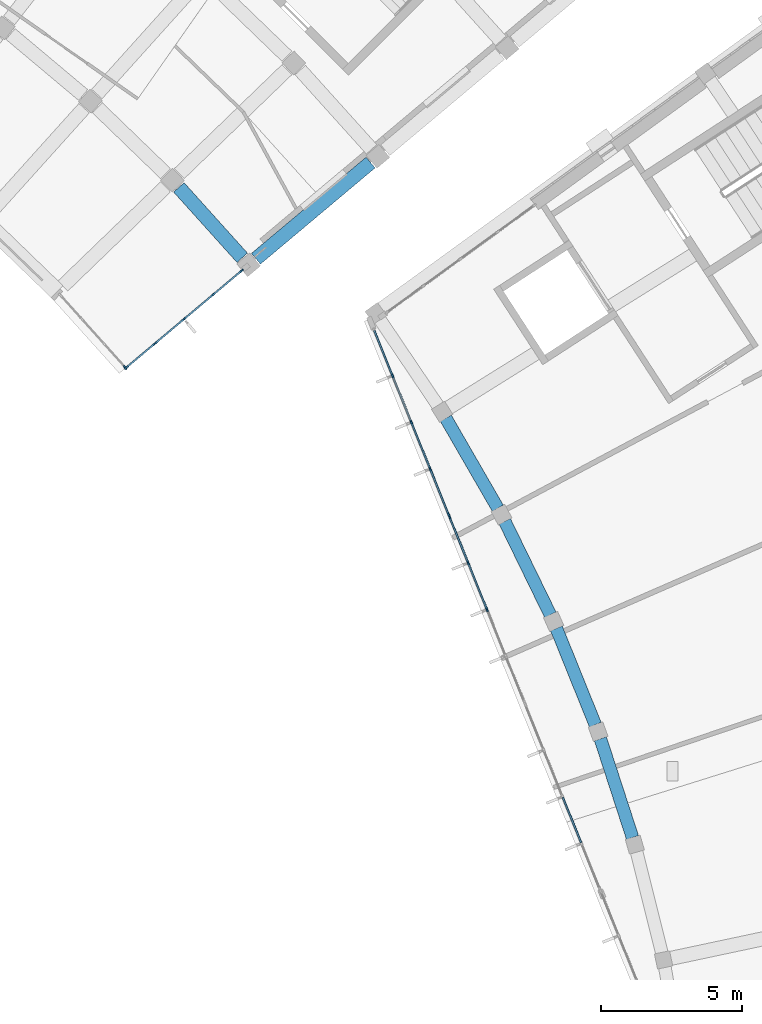
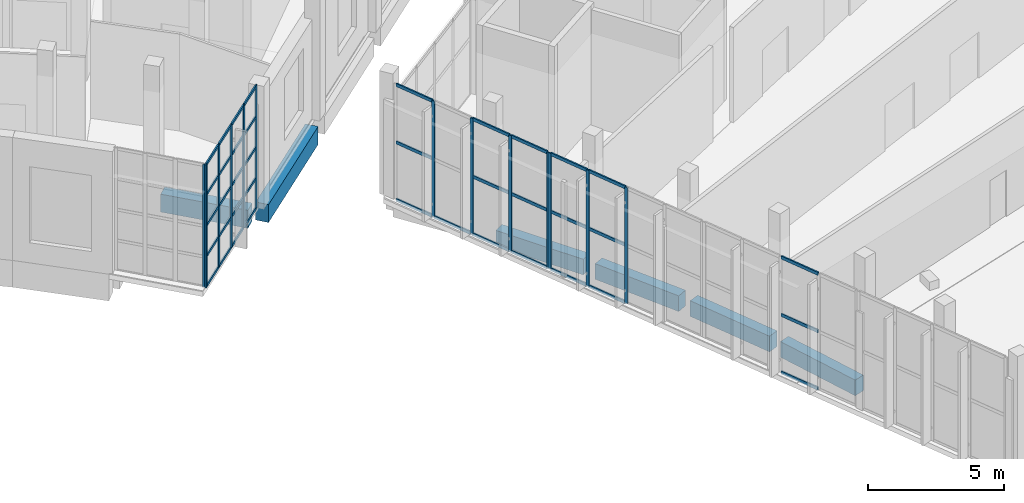
# One storey, part 18 of 87: 52 members, 6 beams, 5 elements without a shape of their own.
"""IFC4 building model written with IfcOpenShell, lengths in metres."""

import ifcopenshell
import ifcopenshell.guid

model = None  # the IFC model being written
_history = None  # IfcOwnerHistory: only IFC2X3 demands one
_inside = {}  # id of a spatial element -> (the spatial element, [elements in it])
_under = {}  # id of a project, library or spatial element -> (it, [spatial elements below it])
_declared = {}  # id of a project -> (the project, [libraries it declares])
_typed = {}  # id of a type object -> (the type object, [elements of that type])
_made_of = {}  # id of a material, layer set ... -> (it, [elements and type objects made of it])


def new_model(schema):
    """Start an empty IFC model of exactly this schema.

    Asked for "IFC4X3", IfcOpenShell would pick the latest addendum, in which some entities
    have other attributes; the version numbers below select the first issue.
    IFC2X3 requires an IfcOwnerHistory on every rooted entity: one is made here for all.
    """
    global model, _history
    if schema == "IFC4X3":
        model = ifcopenshell.file(schema_version=(4, 3, 0, 0))
    else:
        model = ifcopenshell.file(schema=schema)
    _inside.clear()
    _under.clear()
    _declared.clear()
    _typed.clear()
    _made_of.clear()
    _history = None
    if model.schema == "IFC2X3":
        org = make("IfcOrganization", Name="unknown")
        user = make(
            "IfcPersonAndOrganization",
            ThePerson=make("IfcPerson", FamilyName="unknown"),
            TheOrganization=org,
        )
        app = make(
            "IfcApplication",
            ApplicationDeveloper=org,
            Version="unknown",
            ApplicationFullName="unknown",
            ApplicationIdentifier="unknown",
        )
        _history = make(
            "IfcOwnerHistory",
            OwningUser=user,
            OwningApplication=app,
            ChangeAction="ADDED",
            CreationDate=0,
        )
    return model


def make(cls, **values):
    """One entity of the class cls with the attributes given. An attribute that is None is left unset."""
    return model.create_entity(
        cls, **{name: value for name, value in values.items() if value is not None}
    )


def rooted(cls, **values):
    """An entity with a GlobalId (a new one), such as an element, a storey or a relation."""
    return make(cls, GlobalId=ifcopenshell.guid.new(), OwnerHistory=_history, **values)


def si_unit(unit_type, name, prefix=None):
    """IfcSIUnit, for example si_unit("LENGTHUNIT", "METRE", prefix="MILLI")."""
    return make("IfcSIUnit", UnitType=unit_type, Prefix=prefix, Name=name)


def assignment(units):
    """IfcUnitAssignment: the units of a project."""
    return None if units is None else make("IfcUnitAssignment", Units=units)


def point(xyz):
    """IfcCartesianPoint."""
    return None if xyz is None else make("IfcCartesianPoint", Coordinates=xyz)


def direction(xyz):
    """IfcDirection."""
    return None if xyz is None else make("IfcDirection", DirectionRatios=xyz)


def frame(location, z_axis=None, x_axis=None):
    """IfcAxis2Placement3D, a coordinate frame: its origin and axes. An axis left out is left unset."""
    return make(
        "IfcAxis2Placement3D",
        Location=point(location),
        Axis=direction(z_axis),
        RefDirection=direction(x_axis),
    )


def frame_2d(location, x_axis=None):
    """IfcAxis2Placement2D, a coordinate frame in the plane: its origin and x axis."""
    return make(
        "IfcAxis2Placement2D", Location=point(location), RefDirection=direction(x_axis)
    )


def origin():
    """The frame at (0, 0, 0) with its axes left unset."""
    return frame((0.0, 0.0, 0.0))


def origin_2d():
    """The frame at (0, 0) in the plane with its x axis left unset."""
    return frame_2d((0.0, 0.0))


def place(relative_to, where):
    """IfcLocalPlacement: puts the frame where relative to a parent placement (None: the world)."""
    return make(
        "IfcLocalPlacement", PlacementRelTo=relative_to, RelativePlacement=where
    )


def context(
    kind, dimensions, precision=None, world=None, true_north=None, identifier=None
):
    """IfcGeometricRepresentationContext, for example the 3D "Model" context."""
    return make(
        "IfcGeometricRepresentationContext",
        ContextIdentifier=identifier,
        ContextType=kind,
        CoordinateSpaceDimension=dimensions,
        Precision=precision,
        WorldCoordinateSystem=world,
        TrueNorth=true_north,
    )


def subcontext(parent, identifier, kind, view, scale=None):
    """IfcGeometricRepresentationSubContext, for example "Body" below "Model"."""
    return make(
        "IfcGeometricRepresentationSubContext",
        ContextIdentifier=identifier,
        ContextType=kind,
        ParentContext=parent,
        TargetScale=scale,
        TargetView=view,
    )


def project(units=None, contexts=None):
    """IfcProject with its units and contexts."""
    return rooted(
        "IfcProject",
        Name="project",
        RepresentationContexts=contexts,
        UnitsInContext=assignment(units),
    )


def spatial(cls, under=None, at=None, **own):
    """A site, building, storey or space (cls), placed at a placement, below another one or the project."""
    s = rooted(cls, ObjectPlacement=at, **own)
    if under is not None:
        _under.setdefault(under.id(), (under, []))[1].append(s)
    return s


def profile(cls, at=None, kind="AREA", **sizes):
    """A parametric profile (cls). Its sizes go by their IFC names, for example OverallWidth=200.0."""
    return make(cls, ProfileType=kind, Position=at, **sizes)


def rectangle(**sizes):
    """IfcRectangleProfileDef."""
    return profile("IfcRectangleProfileDef", **sizes)


def extrude(swept, where, along, depth):
    """IfcExtrudedAreaSolid: the profile swept, set in the frame where, extruded along a direction by depth."""
    return make(
        "IfcExtrudedAreaSolid",
        SweptArea=swept,
        Position=where,
        ExtrudedDirection=direction(along),
        Depth=depth,
    )


def shape(context_of_items, identifier, shape_type, items):
    """IfcShapeRepresentation: the items that make up one representation, for example the "Body"."""
    return make(
        "IfcShapeRepresentation",
        ContextOfItems=context_of_items,
        RepresentationIdentifier=identifier,
        RepresentationType=shape_type,
        Items=items,
    )


def material(Name=None, Category=None):
    """IfcMaterial."""
    return make("IfcMaterial", Name=Name, Category=Category)


def layer(
    of_material, thickness, ventilated=None, Name=None, Category=None, Priority=None
):
    """IfcMaterialLayer: one layer of a wall or slab, of a material (None: an air gap)."""
    return make(
        "IfcMaterialLayer",
        Material=of_material,
        LayerThickness=thickness,
        IsVentilated=ventilated,
        Name=Name,
        Category=Category,
        Priority=Priority,
    )


def layer_set(layers, Name=None):
    """IfcMaterialLayerSet."""
    return make("IfcMaterialLayerSet", MaterialLayers=layers, LayerSetName=Name)


def material_profile(
    of_material, cross_section, Name=None, Category=None, Priority=None
):
    """IfcMaterialProfile: a cross section and its material."""
    return make(
        "IfcMaterialProfile",
        Name=Name,
        Material=of_material,
        Profile=cross_section,
        Priority=Priority,
        Category=Category,
    )


def profile_set(profiles, Name=None, composite=None):
    """IfcMaterialProfileSet."""
    return make(
        "IfcMaterialProfileSet",
        Name=Name,
        MaterialProfiles=profiles,
        CompositeProfile=composite,
    )


def made_of(thing, what):
    """Note that an element or type object is made of a material, layer set ...; save() writes the relation."""
    if what is not None:
        _made_of.setdefault(what.id(), (what, []))[1].append(thing)
    return thing


def type_object(cls, material=None, **own):
    """A type object (cls), such as IfcWallType, which elements share."""
    return made_of(rooted(cls, **own), material)


def element(
    cls,
    number,
    at=None,
    inside=None,
    cuts=None,
    type_object=None,
    material=None,
    context=None,
    identifier="Body",
    shape_type=None,
    held_by="IfcProductDefinitionShape",
    body=None,
    shapes=None,
    **own,
):
    """One element of the class cls, such as IfcWall. Its Tag is "e" and its number.

    at: its placement. inside: the storey or other place that contains it. cuts: it is an
    opening in that element (IfcRelVoidsElement). A single representation is given by context,
    identifier, shape_type and body (its items); several are given by shapes. held_by: the class
    of the entity that holds the representations. save() writes the other relations.
    """
    e = rooted(cls, Tag="e%d" % number, ObjectPlacement=at, **own)
    if body is not None:
        shapes = [shape(context, identifier, shape_type, body)]
    if shapes is not None:
        e.Representation = make(held_by, Representations=shapes)
    if inside is not None:
        _inside.setdefault(inside.id(), (inside, []))[1].append(e)
    if cuts is not None:
        rooted(
            "IfcRelVoidsElement", RelatingBuildingElement=cuts, RelatedOpeningElement=e
        )
    if type_object is not None:
        _typed.setdefault(type_object.id(), (type_object, []))[1].append(e)
    return made_of(e, material)


def aggregate(whole, parts):
    """IfcRelAggregates: a whole, such as a stair, and the parts it consists of."""
    return rooted("IfcRelAggregates", RelatingObject=whole, RelatedObjects=parts)


def save(model, path):
    """Write the relations noted so far, then the file.

    IfcRelAggregates (storeys below a building ...), IfcRelContainedInSpatialStructure (elements
    in a storey), IfcRelDefinesByType, IfcRelAssociatesMaterial and IfcRelDeclares: one each for
    every whole, place, type object, material and project.
    """
    for whole, parts in _under.values():
        aggregate(whole, parts)
    for where, things in _inside.values():
        rooted(
            "IfcRelContainedInSpatialStructure",
            RelatedElements=things,
            RelatingStructure=where,
        )
    for kind, things in _typed.values():
        rooted("IfcRelDefinesByType", RelatedObjects=things, RelatingType=kind)
    for what, things in _made_of.values():
        rooted("IfcRelAssociatesMaterial", RelatedObjects=things, RelatingMaterial=what)
    for by, libraries in _declared.values():
        rooted("IfcRelDeclares", RelatingContext=by, RelatedDefinitions=libraries)
    model.write(path)


model = new_model("IFC4")

# Units and contexts
model_context = context("Model", 3, precision=1e-05, world=origin(), true_north=direction((0.0, 1.0)))
body_context = subcontext(model_context, "Body", "Model", "MODEL_VIEW")
ifc_project = project(units=[si_unit("LENGTHUNIT", "METRE"), si_unit("AREAUNIT", "SQUARE_METRE"), si_unit("VOLUMEUNIT", "CUBIC_METRE"), si_unit("PLANEANGLEUNIT", "RADIAN"), si_unit("MASSUNIT", "GRAM", prefix="KILO")], contexts=[model_context])

# Site, building, storey
site_placement = place(None, origin())
site = spatial("IfcSite", under=ifc_project, at=site_placement, CompositionType="ELEMENT")
building_placement = place(site_placement, origin())
building = spatial("IfcBuilding", under=site, at=building_placement, Name="Lunette Opera House", CompositionType="ELEMENT")
storey_placement = place(building_placement, frame((0.0, 0.0, 11.5)))
storey = spatial("IfcBuildingStorey", under=building, at=storey_placement, Name="L02", CompositionType="ELEMENT", Elevation=11.5)

# Curtain wall, members
ifc_material_1 = material(Name="Aluminium", Category="aluminium")
ifc_layer_1 = layer(ifc_material_1, 0.139892578125)
ifc_layer_set_1 = layer_set([ifc_layer_1], Name="Aluminium")
curtain_wall_type_1 = type_object("IfcCurtainWallType", Name="STUDIO CURTAIN WALL", PredefinedType="NOTDEFINED", material=ifc_layer_set_1)
curtain_wall_1_placement = place(storey_placement, origin())
curtain_wall_1 = element("IfcCurtainWall", 1, at=curtain_wall_1_placement, inside=storey, type_object=curtain_wall_type_1, Name="Studio Curtain Wall F01 L02", PredefinedType="NOTDEFINED")
ifc_material_2 = material(Name="Aluminium", Category="aluminium")
ifc_material_profile_1 = material_profile(ifc_material_2, rectangle(XDim=0.06005859375, YDim=0.139892578125, at=origin_2d()), Name="MULLION 60 X 140")
ifc_profile_set_1 = profile_set([ifc_material_profile_1], Name="Aluminium")
member_type_1 = type_object("IfcMemberType", Name="MULLION 60 X 140", PredefinedType="MULLION", material=ifc_profile_set_1)
member_1_placement = place(storey_placement, frame((145.545166015625, 33.3427734375, 0.0), z_axis=(0.0, 0.0, 1.0), x_axis=(0.927167994967, 0.37464584491, 0.0)))
member_1 = element("IfcMember", 2, at=member_1_placement, type_object=member_type_1, Name="SB-X2013 mullion 2", PredefinedType="MULLION", context=body_context, shape_type="SweptSolid", body=[
    extrude(rectangle(XDim=0.06005859375, YDim=0.139892578125, at=origin_2d()), origin(), (0.0, 0.0, 1.0), 5.199951171875),
])
member_2_placement = place(storey_placement, frame((146.214599609375, 31.6865234375, 0.0), z_axis=(0.0, 0.0, 1.0), x_axis=(0.927167994967, 0.37464584491, 0.0)))
member_2 = element("IfcMember", 3, at=member_2_placement, type_object=member_type_1, Name="SB-X2013 mullion 3", PredefinedType="MULLION", context=body_context, shape_type="SweptSolid", body=[
    extrude(rectangle(XDim=0.06005859375, YDim=0.139892578125, at=origin_2d()), origin(), (0.0, 0.0, 1.0), 5.199951171875),
])
member_3_placement = place(storey_placement, frame((146.8837890625, 30.0302734375, 0.0), z_axis=(0.0, 0.0, 1.0), x_axis=(0.927167994967, 0.37464584491, 0.0)))
member_3 = element("IfcMember", 4, at=member_3_placement, type_object=member_type_1, Name="SB-X2013 mullion 4", PredefinedType="MULLION", context=body_context, shape_type="SweptSolid", body=[
    extrude(rectangle(XDim=0.06005859375, YDim=0.139892578125, at=origin_2d()), origin(), (0.0, 0.0, 1.0), 5.199951171875),
])
member_4_placement = place(storey_placement, frame((147.541748046875, 28.40185546875, 0.0), z_axis=(0.0, 0.0, 1.0), x_axis=(0.927167994967, 0.37464584491, 0.0)))
member_4 = element("IfcMember", 5, at=member_4_placement, type_object=member_type_1, Name="SB-X2013 mullion 5", PredefinedType="MULLION", context=body_context, shape_type="SweptSolid", body=[
    extrude(rectangle(XDim=0.06005859375, YDim=0.139892578125, at=origin_2d()), origin(), (0.0, 0.0, 1.0), 5.199951171875),
])

curtain_wall_2_placement = place(storey_placement, origin())
curtain_wall_2 = element("IfcCurtainWall", 6, at=curtain_wall_2_placement, inside=storey, type_object=curtain_wall_type_1, Name="Studio Curtain Wall F02 L02", PredefinedType="NOTDEFINED")
member_5_placement = place(storey_placement, frame((147.5751953125, 28.318115234375, 0.0), z_axis=(0.0, 0.0, 1.0), x_axis=(0.927187634441, 0.374597237762, 0.0)))
member_5 = element("IfcMember", 7, at=member_5_placement, type_object=member_type_1, Name="SB-X2014 mullion 1", PredefinedType="MULLION", context=body_context, shape_type="SweptSolid", body=[
    extrude(rectangle(XDim=0.06005859375, YDim=0.139892578125, at=origin_2d()), origin(), (0.0, 0.0, 1.0), 5.199951171875),
])
member_6_placement = place(storey_placement, frame((148.233154296875, 26.689453125, 0.0), z_axis=(0.0, 0.0, 1.0), x_axis=(0.927187634441, 0.374597237762, 0.0)))
member_6 = element("IfcMember", 8, at=member_6_placement, type_object=member_type_1, Name="SB-X2014 mullion 2", PredefinedType="MULLION", context=body_context, shape_type="SweptSolid", body=[
    extrude(rectangle(XDim=0.06005859375, YDim=0.139892578125, at=origin_2d()), origin(), (0.0, 0.0, 1.0), 5.199951171875),
])
member_7_placement = place(storey_placement, frame((148.902587890625, 25.032958984375, 0.0), z_axis=(0.0, 0.0, 1.0), x_axis=(0.927187634441, 0.374597237762, 0.0)))
member_7 = element("IfcMember", 9, at=member_7_placement, type_object=member_type_1, Name="SB-X2014 mullion 3", PredefinedType="MULLION", context=body_context, shape_type="SweptSolid", body=[
    extrude(rectangle(XDim=0.06005859375, YDim=0.139892578125, at=origin_2d()), origin(), (0.0, 0.0, 1.0), 5.199951171875),
])

# Curtain wall, member
ifc_material_3 = material(Name="Aluminium", Category="aluminium")
ifc_layer_2 = layer(ifc_material_3, 0.159912109375)
ifc_layer_set_2 = layer_set([ifc_layer_2], Name="Aluminium")
curtain_wall_type_2 = type_object("IfcCurtainWallType", Name="CORNER CURTAIN WALL", PredefinedType="NOTDEFINED", material=ifc_layer_set_2)
curtain_wall_3_placement = place(storey_placement, origin())
curtain_wall_3 = element("IfcCurtainWall", 10, at=curtain_wall_3_placement, inside=storey, type_object=curtain_wall_type_2, Name="Corner Curtain Wall GC-E1 L02", PredefinedType="NOTDEFINED")
ifc_material_4 = material(Name="Aluminium", Category="aluminium")
ifc_material_profile_2 = material_profile(ifc_material_4, rectangle(XDim=0.06005859375, YDim=0.159912109375, at=origin_2d()), Name="MULLION 60 X 160")
ifc_profile_set_2 = profile_set([ifc_material_profile_2], Name="Aluminium")
member_type_2 = type_object("IfcMemberType", Name="MULLION 60 X 160", PredefinedType="MULLION", material=ifc_profile_set_2)
member_8_placement = place(storey_placement, frame((136.0439453125, 33.640380859375, 0.0), z_axis=(0.0, 0.0, 1.0), x_axis=(0.744216793887, 0.667938143615, 0.0)))
member_8 = element("IfcMember", 11, at=member_8_placement, type_object=member_type_2, Name="FC-X2175 mullion 4", PredefinedType="MULLION", context=body_context, shape_type="SweptSolid", body=[
    extrude(rectangle(XDim=0.06005859375, YDim=0.159912109375, at=origin_2d()), origin(), (0.0, 0.0, 1.0), 5.5),
])
aggregate(curtain_wall_3, [member_8])

# Curtain wall, members
curtain_wall_4_placement = place(storey_placement, origin())
curtain_wall_4 = element("IfcCurtainWall", 12, at=curtain_wall_4_placement, inside=storey, type_object=curtain_wall_type_2, Name="Corner Curtain Wall GC-E2 L02", PredefinedType="NOTDEFINED")
member_9_placement = place(storey_placement, frame((136.0869140625, 33.63720703125, 0.0), z_axis=(0.0, 0.0, 1.0), x_axis=(-0.642840201999, 0.766000309852, 0.0)))
member_9 = element("IfcMember", 13, at=member_9_placement, type_object=member_type_2, Name="FC-X2176 mullion 1", PredefinedType="MULLION", context=body_context, shape_type="SweptSolid", body=[
    extrude(rectangle(XDim=0.06005859375, YDim=0.159912109375, at=origin_2d()), origin(), (0.0, 0.0, 1.0), 5.5),
])
member_10_placement = place(storey_placement, frame((137.097900390625, 34.48583984375, 0.0), z_axis=(0.0, 0.0, 1.0), x_axis=(-0.642840201999, 0.766000309852, 0.0)))
member_10 = element("IfcMember", 14, at=member_10_placement, type_object=member_type_2, Name="FC-X2176 mullion 2", PredefinedType="MULLION", context=body_context, shape_type="SweptSolid", body=[
    extrude(rectangle(XDim=0.06005859375, YDim=0.159912109375, at=origin_2d()), origin(), (0.0, 0.0, 1.0), 5.5),
])
member_11_placement = place(storey_placement, frame((138.132080078125, 35.353515625, 0.0), z_axis=(0.0, 0.0, 1.0), x_axis=(-0.642840201999, 0.766000309852, 0.0)))
member_11 = element("IfcMember", 15, at=member_11_placement, type_object=member_type_2, Name="FC-X2176 mullion 3", PredefinedType="MULLION", context=body_context, shape_type="SweptSolid", body=[
    extrude(rectangle(XDim=0.06005859375, YDim=0.159912109375, at=origin_2d()), origin(), (0.0, 0.0, 1.0), 5.5),
])
member_12_placement = place(storey_placement, frame((139.166015625, 36.22119140625, 0.0), z_axis=(0.0, 0.0, 1.0), x_axis=(-0.642840201999, 0.766000309852, 0.0)))
member_12 = element("IfcMember", 16, at=member_12_placement, type_object=member_type_2, Name="FC-X2176 mullion 4", PredefinedType="MULLION", context=body_context, shape_type="SweptSolid", body=[
    extrude(rectangle(XDim=0.06005859375, YDim=0.159912109375, at=origin_2d()), origin(), (0.0, 0.0, 1.0), 5.5),
])
member_13_placement = place(storey_placement, frame((140.177001953125, 37.06982421875, 0.0), z_axis=(0.0, 0.0, 1.0), x_axis=(-0.642840201999, 0.766000309852, 0.0)))
member_13 = element("IfcMember", 17, at=member_13_placement, type_object=member_type_2, Name="FC-X2176 mullion 5", PredefinedType="MULLION", context=body_context, shape_type="SweptSolid", body=[
    extrude(rectangle(XDim=0.06005859375, YDim=0.159912109375, at=origin_2d()), origin(), (0.0, 0.0, 1.0), 5.5),
])

# Beams
ifc_material_5 = material(Name="Concrete C35/45", Category="concrete")
ifc_material_profile_3 = material_profile(ifc_material_5, rectangle(XDim=0.449951171875, YDim=0.699951171875, at=origin_2d()), Name="RC BEAM 450X700")
ifc_profile_set_3 = profile_set([ifc_material_profile_3], Name="Concrete C35/45")
beam_type_1 = type_object("IfcBeamType", Name="RC BEAM 450X700", PredefinedType="BEAM", material=ifc_profile_set_3)
beam_1_placement = place(storey_placement, frame((147.43896484375, 31.8310546875, -0.570068359375), z_axis=(0.50011347935, -0.865959876537, 0.0), x_axis=(0.865959876537, 0.50011347935, 0.0)))
element("IfcBeam", 18, at=beam_1_placement, inside=storey, type_object=beam_type_1, Name="beam-SB-L02-L02-RG01", PredefinedType="BEAM", context=body_context, shape_type="SweptSolid", body=[
    extrude(rectangle(XDim=0.449951171875, YDim=0.699951171875, at=origin_2d()), origin(), (0.0, 0.0, 1.0), 3.693115234375),
])
for number, where, z_axis, x_axis, name in (
    (19, (149.533935546875, 28.1650390625, -0.570068359375), (0.438439261918, -0.898760821136, 0.0), (0.898760821136, 0.438439261918, 0.0), "beam-SB-L02-L02-RG02"),
    (20, (151.368896484375, 24.362060546875, -0.570068359375), (0.374523169532, -0.927217555638, 0.0), (0.927217555638, 0.374523169532, 0.0), "beam-SB-L02-L02-RG03"),
):
    element("IfcBeam", number, at=place(storey_placement, frame(where, z_axis=z_axis, x_axis=x_axis)), inside=storey, type_object=beam_type_1, Name=name, PredefinedType="BEAM", context=body_context, shape_type="SweptSolid", body=[
        extrude(rectangle(XDim=0.449951171875, YDim=0.699951171875, at=origin_2d()), origin(), (0.0, 0.0, 1.0), 3.69287109375),
    ])
beam_2_placement = place(storey_placement, frame((152.93310546875, 20.43994140625, -0.570068359375), z_axis=(0.30895899574, -0.951075359239, 0.0), x_axis=(0.951075359239, 0.30895899574, 0.0)))
element("IfcBeam", 21, at=beam_2_placement, inside=storey, type_object=beam_type_1, Name="beam-SB-L02-L02-RG04", PredefinedType="BEAM", context=body_context, shape_type="SweptSolid", body=[
    extrude(rectangle(XDim=0.449951171875, YDim=0.699951171875, at=origin_2d()), origin(), (0.0, 0.0, 1.0), 3.692626953125),
])
ifc_material_6 = material(Name="Concrete C35/45", Category="concrete")
ifc_material_profile_4 = material_profile(ifc_material_6, rectangle(XDim=0.5, YDim=0.800048828125, at=origin_2d()), Name="RC BEAM 500X800")
ifc_profile_set_4 = profile_set([ifc_material_profile_4], Name="Concrete C35/45")
beam_type_2 = type_object("IfcBeamType", Name="RC BEAM 500X800", PredefinedType="BEAM", material=ifc_profile_set_4)
beam_3_placement = place(storey_placement, frame((140.69091796875, 37.5, -0.6201171875), z_axis=(0.766004921062, 0.642834707299, 0.0), x_axis=(-0.642834707299, 0.766004921062, 0.0)))
element("IfcBeam", 22, at=beam_3_placement, inside=storey, type_object=beam_type_2, Name="beam-FC-L02-L02-RB-RL-26-2", PredefinedType="BEAM", context=body_context, shape_type="SweptSolid", body=[
    extrude(rectangle(XDim=0.5, YDim=0.800048828125, at=origin_2d()), origin(), (0.0, 0.0, 1.0), 5.320068359375),
])
beam_4_placement = place(storey_placement, frame((137.949951171875, 40.037109375, -0.6201171875), z_axis=(0.669120953551, -0.743153516791, 0.0), x_axis=(0.743153516791, 0.669120953551, 0.0)))
element("IfcBeam", 23, at=beam_4_placement, inside=storey, type_object=beam_type_2, Name="beam-FC-L02-L02-RG-AR-M1-RL-25", PredefinedType="BEAM", context=body_context, shape_type="SweptSolid", body=[
    extrude(rectangle(XDim=0.5, YDim=0.800048828125, at=origin_2d()), origin(), (0.0, 0.0, 1.0), 3.366943359375),
])

# Member
ifc_material_7 = material(Name="Aluminium", Category="aluminium")
ifc_material_profile_5 = material_profile(ifc_material_7, rectangle(XDim=0.06005859375, YDim=0.1201171875, at=origin_2d()), Name="TRANSOM 60 X 120")
ifc_profile_set_5 = profile_set([ifc_material_profile_5], Name="Aluminium")
member_type_3 = type_object("IfcMemberType", Name="TRANSOM 60 X 120", PredefinedType="USERDEFINED", material=ifc_profile_set_5)
member_14_placement = place(storey_placement, frame((136.10986328125, 33.656494140625, 0.030029296875), z_axis=(0.765945288288, 0.642905759307, 0.0), x_axis=(-0.642905759307, 0.765945288288, 0.0)))
member_14 = element("IfcMember", 24, at=member_14_placement, type_object=member_type_3, Name="FC-X2176 transom 1.1", ObjectType="TRANSOM", PredefinedType="USERDEFINED", context=body_context, shape_type="SweptSolid", body=[
    extrude(rectangle(XDim=0.06005859375, YDim=0.1201171875, at=origin_2d()), origin(), (0.0, 0.0, 1.0), 1.260009765625),
])

member_15_placement = place(storey_placement, frame((136.10986328125, 33.656494140625, 1.375), z_axis=(0.765945288288, 0.642905759307, 0.0), x_axis=(-0.642905759307, 0.765945288288, 0.0)))
member_15 = element("IfcMember", 25, at=member_15_placement, type_object=member_type_3, Name="FC-X2176 transom 1.2", ObjectType="TRANSOM", PredefinedType="USERDEFINED", context=body_context, shape_type="SweptSolid", body=[
    extrude(rectangle(XDim=0.06005859375, YDim=0.1201171875, at=origin_2d()), origin(), (0.0, 0.0, 1.0), 1.260009765625),
])

member_16_placement = place(storey_placement, frame((136.10986328125, 33.656494140625, 2.75), z_axis=(0.765945288288, 0.642905759307, 0.0), x_axis=(-0.642905759307, 0.765945288288, 0.0)))
member_16 = element("IfcMember", 26, at=member_16_placement, type_object=member_type_3, Name="FC-X2176 transom 1.3", ObjectType="TRANSOM", PredefinedType="USERDEFINED", context=body_context, shape_type="SweptSolid", body=[
    extrude(rectangle(XDim=0.06005859375, YDim=0.1201171875, at=origin_2d()), origin(), (0.0, 0.0, 1.0), 1.260009765625),
])

member_17_placement = place(storey_placement, frame((136.10986328125, 33.656494140625, 4.125), z_axis=(0.765945288288, 0.642905759307, 0.0), x_axis=(-0.642905759307, 0.765945288288, 0.0)))
member_17 = element("IfcMember", 27, at=member_17_placement, type_object=member_type_3, Name="FC-X2176 transom 1.4", ObjectType="TRANSOM", PredefinedType="USERDEFINED", context=body_context, shape_type="SweptSolid", body=[
    extrude(rectangle(XDim=0.06005859375, YDim=0.1201171875, at=origin_2d()), origin(), (0.0, 0.0, 1.0), 1.260009765625),
])

member_18_placement = place(storey_placement, frame((136.10986328125, 33.656494140625, 5.469970703125), z_axis=(0.765945288288, 0.642905759307, 0.0), x_axis=(-0.642905759307, 0.765945288288, 0.0)))
member_18 = element("IfcMember", 28, at=member_18_placement, type_object=member_type_3, Name="FC-X2176 transom 1.5", ObjectType="TRANSOM", PredefinedType="USERDEFINED", context=body_context, shape_type="SweptSolid", body=[
    extrude(rectangle(XDim=0.06005859375, YDim=0.1201171875, at=origin_2d()), origin(), (0.0, 0.0, 1.0), 1.260009765625),
])

member_19_placement = place(storey_placement, frame((137.12109375, 34.505126953125, 0.030029296875), z_axis=(0.76602917681, 0.642805802927, 0.0), x_axis=(-0.642805802927, 0.76602917681, 0.0)))
member_19 = element("IfcMember", 29, at=member_19_placement, type_object=member_type_3, Name="FC-X2176 transom 2.1", ObjectType="TRANSOM", PredefinedType="USERDEFINED", context=body_context, shape_type="SweptSolid", body=[
    extrude(rectangle(XDim=0.06005859375, YDim=0.1201171875, at=origin_2d()), origin(), (0.0, 0.0, 1.0), 1.289794921875),
])

member_20_placement = place(storey_placement, frame((137.12109375, 34.505126953125, 1.375), z_axis=(0.76602917681, 0.642805802927, 0.0), x_axis=(-0.642805802927, 0.76602917681, 0.0)))
member_20 = element("IfcMember", 30, at=member_20_placement, type_object=member_type_3, Name="FC-X2176 transom 2.2", ObjectType="TRANSOM", PredefinedType="USERDEFINED", context=body_context, shape_type="SweptSolid", body=[
    extrude(rectangle(XDim=0.06005859375, YDim=0.1201171875, at=origin_2d()), origin(), (0.0, 0.0, 1.0), 1.289794921875),
])

member_21_placement = place(storey_placement, frame((137.12109375, 34.505126953125, 2.75), z_axis=(0.76602917681, 0.642805802927, 0.0), x_axis=(-0.642805802927, 0.76602917681, 0.0)))
member_21 = element("IfcMember", 31, at=member_21_placement, type_object=member_type_3, Name="FC-X2176 transom 2.3", ObjectType="TRANSOM", PredefinedType="USERDEFINED", context=body_context, shape_type="SweptSolid", body=[
    extrude(rectangle(XDim=0.06005859375, YDim=0.1201171875, at=origin_2d()), origin(), (0.0, 0.0, 1.0), 1.289794921875),
])

member_22_placement = place(storey_placement, frame((137.12109375, 34.505126953125, 4.125), z_axis=(0.76602917681, 0.642805802927, 0.0), x_axis=(-0.642805802927, 0.76602917681, 0.0)))
member_22 = element("IfcMember", 32, at=member_22_placement, type_object=member_type_3, Name="FC-X2176 transom 2.4", ObjectType="TRANSOM", PredefinedType="USERDEFINED", context=body_context, shape_type="SweptSolid", body=[
    extrude(rectangle(XDim=0.06005859375, YDim=0.1201171875, at=origin_2d()), origin(), (0.0, 0.0, 1.0), 1.289794921875),
])

member_23_placement = place(storey_placement, frame((137.12109375, 34.505126953125, 5.469970703125), z_axis=(0.76602917681, 0.642805802927, 0.0), x_axis=(-0.642805802927, 0.76602917681, 0.0)))
member_23 = element("IfcMember", 33, at=member_23_placement, type_object=member_type_3, Name="FC-X2176 transom 2.5", ObjectType="TRANSOM", PredefinedType="USERDEFINED", context=body_context, shape_type="SweptSolid", body=[
    extrude(rectangle(XDim=0.06005859375, YDim=0.1201171875, at=origin_2d()), origin(), (0.0, 0.0, 1.0), 1.289794921875),
])

member_24_placement = place(storey_placement, frame((138.155029296875, 35.372802734375, 0.030029296875), z_axis=(0.76602917681, 0.642805802927, 0.0), x_axis=(-0.642805802927, 0.76602917681, 0.0)))
member_24 = element("IfcMember", 34, at=member_24_placement, type_object=member_type_3, Name="FC-X2176 transom 3.1", ObjectType="TRANSOM", PredefinedType="USERDEFINED", context=body_context, shape_type="SweptSolid", body=[
    extrude(rectangle(XDim=0.06005859375, YDim=0.1201171875, at=origin_2d()), origin(), (0.0, 0.0, 1.0), 1.289794921875),
])

member_25_placement = place(storey_placement, frame((138.155029296875, 35.372802734375, 1.375), z_axis=(0.76602917681, 0.642805802927, 0.0), x_axis=(-0.642805802927, 0.76602917681, 0.0)))
member_25 = element("IfcMember", 35, at=member_25_placement, type_object=member_type_3, Name="FC-X2176 transom 3.2", ObjectType="TRANSOM", PredefinedType="USERDEFINED", context=body_context, shape_type="SweptSolid", body=[
    extrude(rectangle(XDim=0.06005859375, YDim=0.1201171875, at=origin_2d()), origin(), (0.0, 0.0, 1.0), 1.289794921875),
])

member_26_placement = place(storey_placement, frame((138.155029296875, 35.372802734375, 2.75), z_axis=(0.76602917681, 0.642805802927, 0.0), x_axis=(-0.642805802927, 0.76602917681, 0.0)))
member_26 = element("IfcMember", 36, at=member_26_placement, type_object=member_type_3, Name="FC-X2176 transom 3.3", ObjectType="TRANSOM", PredefinedType="USERDEFINED", context=body_context, shape_type="SweptSolid", body=[
    extrude(rectangle(XDim=0.06005859375, YDim=0.1201171875, at=origin_2d()), origin(), (0.0, 0.0, 1.0), 1.289794921875),
])

member_27_placement = place(storey_placement, frame((138.155029296875, 35.372802734375, 4.125), z_axis=(0.76602917681, 0.642805802927, 0.0), x_axis=(-0.642805802927, 0.76602917681, 0.0)))
member_27 = element("IfcMember", 37, at=member_27_placement, type_object=member_type_3, Name="FC-X2176 transom 3.4", ObjectType="TRANSOM", PredefinedType="USERDEFINED", context=body_context, shape_type="SweptSolid", body=[
    extrude(rectangle(XDim=0.06005859375, YDim=0.1201171875, at=origin_2d()), origin(), (0.0, 0.0, 1.0), 1.289794921875),
])

member_28_placement = place(storey_placement, frame((138.155029296875, 35.372802734375, 5.469970703125), z_axis=(0.76602917681, 0.642805802927, 0.0), x_axis=(-0.642805802927, 0.76602917681, 0.0)))
member_28 = element("IfcMember", 38, at=member_28_placement, type_object=member_type_3, Name="FC-X2176 transom 3.5", ObjectType="TRANSOM", PredefinedType="USERDEFINED", context=body_context, shape_type="SweptSolid", body=[
    extrude(rectangle(XDim=0.06005859375, YDim=0.1201171875, at=origin_2d()), origin(), (0.0, 0.0, 1.0), 1.289794921875),
])

member_29_placement = place(storey_placement, frame((139.18896484375, 36.240478515625, 0.030029296875), z_axis=(0.765945288288, 0.642905759307, 0.0), x_axis=(-0.642905759307, 0.765945288288, 0.0)))
member_29 = element("IfcMember", 39, at=member_29_placement, type_object=member_type_3, Name="FC-X2176 transom 4.1", ObjectType="TRANSOM", PredefinedType="USERDEFINED", context=body_context, shape_type="SweptSolid", body=[
    extrude(rectangle(XDim=0.06005859375, YDim=0.1201171875, at=origin_2d()), origin(), (0.0, 0.0, 1.0), 1.260009765625),
])

member_30_placement = place(storey_placement, frame((139.18896484375, 36.240478515625, 1.375), z_axis=(0.765945288288, 0.642905759307, 0.0), x_axis=(-0.642905759307, 0.765945288288, 0.0)))
member_30 = element("IfcMember", 40, at=member_30_placement, type_object=member_type_3, Name="FC-X2176 transom 4.2", ObjectType="TRANSOM", PredefinedType="USERDEFINED", context=body_context, shape_type="SweptSolid", body=[
    extrude(rectangle(XDim=0.06005859375, YDim=0.1201171875, at=origin_2d()), origin(), (0.0, 0.0, 1.0), 1.260009765625),
])

member_31_placement = place(storey_placement, frame((139.18896484375, 36.240478515625, 2.75), z_axis=(0.765945288288, 0.642905759307, 0.0), x_axis=(-0.642905759307, 0.765945288288, 0.0)))
member_31 = element("IfcMember", 41, at=member_31_placement, type_object=member_type_3, Name="FC-X2176 transom 4.3", ObjectType="TRANSOM", PredefinedType="USERDEFINED", context=body_context, shape_type="SweptSolid", body=[
    extrude(rectangle(XDim=0.06005859375, YDim=0.1201171875, at=origin_2d()), origin(), (0.0, 0.0, 1.0), 1.260009765625),
])

member_32_placement = place(storey_placement, frame((139.18896484375, 36.240478515625, 4.125), z_axis=(0.765945288288, 0.642905759307, 0.0), x_axis=(-0.642905759307, 0.765945288288, 0.0)))
member_32 = element("IfcMember", 42, at=member_32_placement, type_object=member_type_3, Name="FC-X2176 transom 4.4", ObjectType="TRANSOM", PredefinedType="USERDEFINED", context=body_context, shape_type="SweptSolid", body=[
    extrude(rectangle(XDim=0.06005859375, YDim=0.1201171875, at=origin_2d()), origin(), (0.0, 0.0, 1.0), 1.260009765625),
])

member_33_placement = place(storey_placement, frame((139.18896484375, 36.240478515625, 5.469970703125), z_axis=(0.765945288288, 0.642905759307, 0.0), x_axis=(-0.642905759307, 0.765945288288, 0.0)))
member_33 = element("IfcMember", 43, at=member_33_placement, type_object=member_type_3, Name="FC-X2176 transom 4.5", ObjectType="TRANSOM", PredefinedType="USERDEFINED", context=body_context, shape_type="SweptSolid", body=[
    extrude(rectangle(XDim=0.06005859375, YDim=0.1201171875, at=origin_2d()), origin(), (0.0, 0.0, 1.0), 1.260009765625),
])

aggregate(curtain_wall_4, [member_9, member_10, member_11, member_12, member_13, member_14, member_15, member_16, member_17, member_18, member_19, member_20, member_21, member_22, member_23, member_24, member_25, member_26, member_27, member_28, member_29, member_30, member_31, member_32, member_33])

ifc_material_8 = material(Name="Aluminium", Category="aluminium")
ifc_material_profile_6 = material_profile(ifc_material_8, rectangle(XDim=0.06005859375, YDim=0.139892578125, at=origin_2d()), Name="TRANSOM 60 X 140")
ifc_profile_set_6 = profile_set([ifc_material_profile_6], Name="Aluminium")
member_type_4 = type_object("IfcMemberType", Name="TRANSOM 60 X 140", PredefinedType="USERDEFINED", material=ifc_profile_set_6)
member_34_placement = place(storey_placement, frame((144.8984375, 34.943359375, 0.030029296875), z_axis=(0.374639140431, -0.927170704055, 0.0), x_axis=(0.927170704055, 0.374639140431, 0.0)))
member_34 = element("IfcMember", 44, at=member_34_placement, type_object=member_type_4, Name="SB-X2013 transom 1.1", ObjectType="TRANSOM", PredefinedType="USERDEFINED", context=body_context, shape_type="SweptSolid", body=[
    extrude(rectangle(XDim=0.06005859375, YDim=0.139892578125, at=origin_2d()), origin(), (0.0, 0.0, 1.0), 1.6962890625),
])

member_35_placement = place(storey_placement, frame((144.8984375, 34.943359375, 2.60009765625), z_axis=(0.374639140431, -0.927170704055, 0.0), x_axis=(0.927170704055, 0.374639140431, 0.0)))
member_35 = element("IfcMember", 45, at=member_35_placement, type_object=member_type_4, Name="SB-X2013 transom 1.2", ObjectType="TRANSOM", PredefinedType="USERDEFINED", context=body_context, shape_type="SweptSolid", body=[
    extrude(rectangle(XDim=0.06005859375, YDim=0.139892578125, at=origin_2d()), origin(), (0.0, 0.0, 1.0), 1.6962890625),
])

member_36_placement = place(storey_placement, frame((144.8984375, 34.943359375, 5.169921875), z_axis=(0.374639140431, -0.927170704055, 0.0), x_axis=(0.927170704055, 0.374639140431, 0.0)))
member_36 = element("IfcMember", 46, at=member_36_placement, type_object=member_type_4, Name="SB-X2013 transom 1.3", ObjectType="TRANSOM", PredefinedType="USERDEFINED", context=body_context, shape_type="SweptSolid", body=[
    extrude(rectangle(XDim=0.06005859375, YDim=0.139892578125, at=origin_2d()), origin(), (0.0, 0.0, 1.0), 1.6962890625),
])

member_37_placement = place(storey_placement, frame((145.556396484375, 33.31494140625, 0.030029296875), z_axis=(0.374752968259, -0.92712470185, 0.0), x_axis=(0.92712470185, 0.374752968259, 0.0)))
member_37 = element("IfcMember", 47, at=member_37_placement, type_object=member_type_4, Name="SB-X2013 transom 2.1", ObjectType="TRANSOM", PredefinedType="USERDEFINED", context=body_context, shape_type="SweptSolid", body=[
    extrude(rectangle(XDim=0.06005859375, YDim=0.139892578125, at=origin_2d()), origin(), (0.0, 0.0, 1.0), 1.726318359375),
])

member_38_placement = place(storey_placement, frame((146.225830078125, 31.65869140625, 0.030029296875), z_axis=(0.374631402845, -0.927173830521, 0.0), x_axis=(0.927173830521, 0.374631402845, 0.0)))
member_38 = element("IfcMember", 48, at=member_38_placement, type_object=member_type_4, Name="SB-X2013 transom 3.1", ObjectType="TRANSOM", PredefinedType="USERDEFINED", context=body_context, shape_type="SweptSolid", body=[
    extrude(rectangle(XDim=0.06005859375, YDim=0.139892578125, at=origin_2d()), origin(), (0.0, 0.0, 1.0), 1.726318359375),
])

member_39_placement = place(storey_placement, frame((146.225830078125, 31.65869140625, 2.60009765625), z_axis=(0.374631402845, -0.927173830521, 0.0), x_axis=(0.927173830521, 0.374631402845, 0.0)))
member_39 = element("IfcMember", 49, at=member_39_placement, type_object=member_type_4, Name="SB-X2013 transom 3.2", ObjectType="TRANSOM", PredefinedType="USERDEFINED", context=body_context, shape_type="SweptSolid", body=[
    extrude(rectangle(XDim=0.06005859375, YDim=0.139892578125, at=origin_2d()), origin(), (0.0, 0.0, 1.0), 1.726318359375),
])

member_40_placement = place(storey_placement, frame((146.225830078125, 31.65869140625, 5.169921875), z_axis=(0.374631402845, -0.927173830521, 0.0), x_axis=(0.927173830521, 0.374631402845, 0.0)))
member_40 = element("IfcMember", 50, at=member_40_placement, type_object=member_type_4, Name="SB-X2013 transom 3.3", ObjectType="TRANSOM", PredefinedType="USERDEFINED", context=body_context, shape_type="SweptSolid", body=[
    extrude(rectangle(XDim=0.06005859375, YDim=0.139892578125, at=origin_2d()), origin(), (0.0, 0.0, 1.0), 1.726318359375),
])

member_41_placement = place(storey_placement, frame((146.89501953125, 30.00244140625, 0.030029296875), z_axis=(0.374639140431, -0.927170704055, 0.0), x_axis=(0.927170704055, 0.374639140431, 0.0)))
member_41 = element("IfcMember", 51, at=member_41_placement, type_object=member_type_4, Name="SB-X2013 transom 4.1", ObjectType="TRANSOM", PredefinedType="USERDEFINED", context=body_context, shape_type="SweptSolid", body=[
    extrude(rectangle(XDim=0.06005859375, YDim=0.139892578125, at=origin_2d()), origin(), (0.0, 0.0, 1.0), 1.6962890625),
])

member_42_placement = place(storey_placement, frame((146.89501953125, 30.00244140625, 2.60009765625), z_axis=(0.374639140431, -0.927170704055, 0.0), x_axis=(0.927170704055, 0.374639140431, 0.0)))
member_42 = element("IfcMember", 52, at=member_42_placement, type_object=member_type_4, Name="SB-X2013 transom 4.2", ObjectType="TRANSOM", PredefinedType="USERDEFINED", context=body_context, shape_type="SweptSolid", body=[
    extrude(rectangle(XDim=0.06005859375, YDim=0.139892578125, at=origin_2d()), origin(), (0.0, 0.0, 1.0), 1.6962890625),
])

member_43_placement = place(storey_placement, frame((146.89501953125, 30.00244140625, 5.169921875), z_axis=(0.374639140431, -0.927170704055, 0.0), x_axis=(0.927170704055, 0.374639140431, 0.0)))
member_43 = element("IfcMember", 53, at=member_43_placement, type_object=member_type_4, Name="SB-X2013 transom 4.3", ObjectType="TRANSOM", PredefinedType="USERDEFINED", context=body_context, shape_type="SweptSolid", body=[
    extrude(rectangle(XDim=0.06005859375, YDim=0.139892578125, at=origin_2d()), origin(), (0.0, 0.0, 1.0), 1.6962890625),
])

aggregate(curtain_wall_1, [member_1, member_2, member_3, member_4, member_34, member_35, member_36, member_37, member_38, member_39, member_40, member_41, member_42, member_43])

member_44_placement = place(storey_placement, frame((147.58642578125, 28.290283203125, 0.030029296875), z_axis=(0.374589153254, -0.927190900659, 0.0), x_axis=(0.927190900659, 0.374589153254, 0.0)))
member_44 = element("IfcMember", 54, at=member_44_placement, type_object=member_type_4, Name="SB-X2014 transom 1.1", ObjectType="TRANSOM", PredefinedType="USERDEFINED", context=body_context, shape_type="SweptSolid", body=[
    extrude(rectangle(XDim=0.06005859375, YDim=0.139892578125, at=origin_2d()), origin(), (0.0, 0.0, 1.0), 1.696533203125),
])

member_45_placement = place(storey_placement, frame((147.58642578125, 28.290283203125, 2.60009765625), z_axis=(0.374589153254, -0.927190900659, 0.0), x_axis=(0.927190900659, 0.374589153254, 0.0)))
member_45 = element("IfcMember", 55, at=member_45_placement, type_object=member_type_4, Name="SB-X2014 transom 1.2", ObjectType="TRANSOM", PredefinedType="USERDEFINED", context=body_context, shape_type="SweptSolid", body=[
    extrude(rectangle(XDim=0.06005859375, YDim=0.139892578125, at=origin_2d()), origin(), (0.0, 0.0, 1.0), 1.696533203125),
])

member_46_placement = place(storey_placement, frame((147.58642578125, 28.290283203125, 5.169921875), z_axis=(0.374589153254, -0.927190900659, 0.0), x_axis=(0.927190900659, 0.374589153254, 0.0)))
member_46 = element("IfcMember", 56, at=member_46_placement, type_object=member_type_4, Name="SB-X2014 transom 1.3", ObjectType="TRANSOM", PredefinedType="USERDEFINED", context=body_context, shape_type="SweptSolid", body=[
    extrude(rectangle(XDim=0.06005859375, YDim=0.139892578125, at=origin_2d()), origin(), (0.0, 0.0, 1.0), 1.696533203125),
])

member_47_placement = place(storey_placement, frame((148.244384765625, 26.66162109375, 0.030029296875), z_axis=(0.374703840138, -0.927144558408, 0.0), x_axis=(0.927144558408, 0.374703840138, 0.0)))
member_47 = element("IfcMember", 57, at=member_47_placement, type_object=member_type_4, Name="SB-X2014 transom 2.1", ObjectType="TRANSOM", PredefinedType="USERDEFINED", context=body_context, shape_type="SweptSolid", body=[
    extrude(rectangle(XDim=0.06005859375, YDim=0.139892578125, at=origin_2d()), origin(), (0.0, 0.0, 1.0), 1.7265625),
])

member_48_placement = place(storey_placement, frame((148.244384765625, 26.66162109375, 2.60009765625), z_axis=(0.374703840138, -0.927144558408, 0.0), x_axis=(0.927144558408, 0.374703840138, 0.0)))
member_48 = element("IfcMember", 58, at=member_48_placement, type_object=member_type_4, Name="SB-X2014 transom 2.2", ObjectType="TRANSOM", PredefinedType="USERDEFINED", context=body_context, shape_type="SweptSolid", body=[
    extrude(rectangle(XDim=0.06005859375, YDim=0.139892578125, at=origin_2d()), origin(), (0.0, 0.0, 1.0), 1.7265625),
])

member_49_placement = place(storey_placement, frame((148.244384765625, 26.66162109375, 5.169921875), z_axis=(0.374703840138, -0.927144558408, 0.0), x_axis=(0.927144558408, 0.374703840138, 0.0)))
member_49 = element("IfcMember", 59, at=member_49_placement, type_object=member_type_4, Name="SB-X2014 transom 2.3", ObjectType="TRANSOM", PredefinedType="USERDEFINED", context=body_context, shape_type="SweptSolid", body=[
    extrude(rectangle(XDim=0.06005859375, YDim=0.139892578125, at=origin_2d()), origin(), (0.0, 0.0, 1.0), 1.7265625),
])

aggregate(curtain_wall_2, [member_5, member_6, member_7, member_44, member_45, member_46, member_47, member_48, member_49])

# Curtain wall, members
curtain_wall_5_placement = place(storey_placement, origin())
curtain_wall_5 = element("IfcCurtainWall", 60, at=curtain_wall_5_placement, inside=storey, type_object=curtain_wall_type_1, Name="Studio Curtain Wall F03 L02", PredefinedType="NOTDEFINED")
member_50_placement = place(storey_placement, frame((151.601806640625, 18.351806640625, 0.030029296875), z_axis=(0.374582285456, -0.927193675249, 0.0), x_axis=(0.927193675249, 0.374582285456, 0.0)))
member_50 = element("IfcMember", 61, at=member_50_placement, type_object=member_type_4, Name="SB-X2015 transom 3.1", ObjectType="TRANSOM", PredefinedType="USERDEFINED", context=body_context, shape_type="SweptSolid", body=[
    extrude(rectangle(XDim=0.06005859375, YDim=0.139892578125, at=origin_2d()), origin(), (0.0, 0.0, 1.0), 1.7265625),
])
member_51_placement = place(storey_placement, frame((151.601806640625, 18.351806640625, 2.60009765625), z_axis=(0.374582285456, -0.927193675249, 0.0), x_axis=(0.927193675249, 0.374582285456, 0.0)))
member_51 = element("IfcMember", 62, at=member_51_placement, type_object=member_type_4, Name="SB-X2015 transom 3.2", ObjectType="TRANSOM", PredefinedType="USERDEFINED", context=body_context, shape_type="SweptSolid", body=[
    extrude(rectangle(XDim=0.06005859375, YDim=0.139892578125, at=origin_2d()), origin(), (0.0, 0.0, 1.0), 1.7265625),
])
member_52_placement = place(storey_placement, frame((151.601806640625, 18.351806640625, 5.169921875), z_axis=(0.374582285456, -0.927193675249, 0.0), x_axis=(0.927193675249, 0.374582285456, 0.0)))
member_52 = element("IfcMember", 63, at=member_52_placement, type_object=member_type_4, Name="SB-X2015 transom 3.3", ObjectType="TRANSOM", PredefinedType="USERDEFINED", context=body_context, shape_type="SweptSolid", body=[
    extrude(rectangle(XDim=0.06005859375, YDim=0.139892578125, at=origin_2d()), origin(), (0.0, 0.0, 1.0), 1.7265625),
])
aggregate(curtain_wall_5, [member_50, member_51, member_52])

save(model, "model.ifc")
